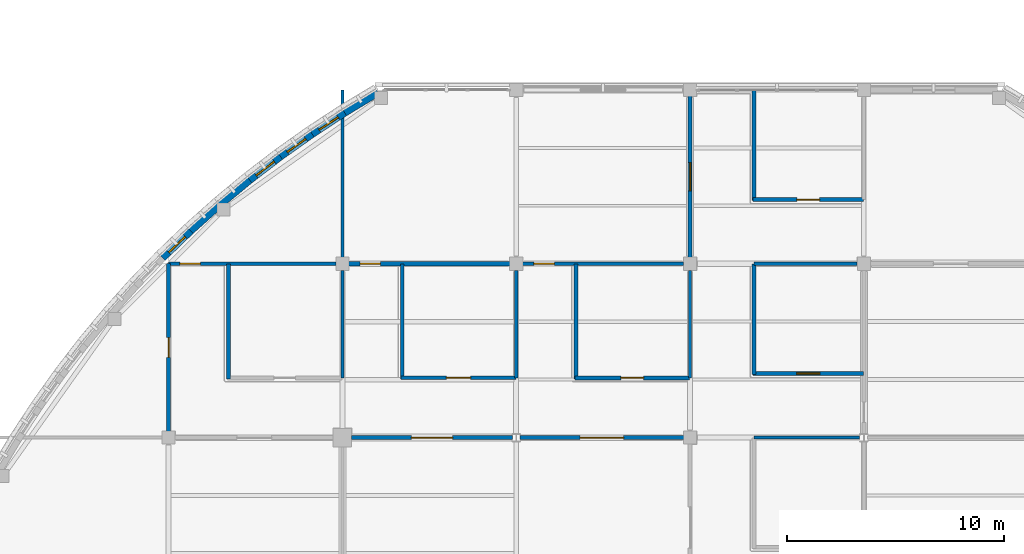
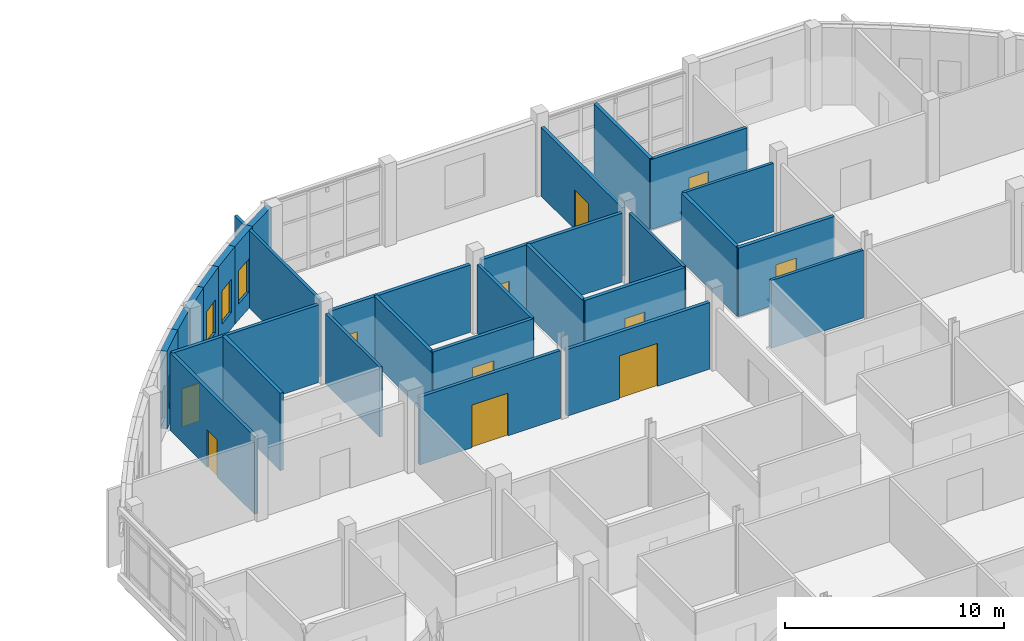
# One storey, part 89 of 121: 29 walls, 11 doors, 4 windows, 15 openings.
"""IFC4 building model written with IfcOpenShell, lengths in metres."""

from ifc_helpers import new_model, si_unit, derived_unit, direction, frame, frame_2d, origin, place, context, subcontext, project, spatial, rectangle, extrude, material, layer, layer_set, type_object, element, fill, save


model = new_model("IFC4")

# Units and contexts
model_context = context("Model", 3, precision=1e-05, world=origin(), true_north=direction((0.0, 1.0)))
body_context = subcontext(model_context, "Body", "Model", "MODEL_VIEW")
ifc_project = project(units=[si_unit("LENGTHUNIT", "METRE"), si_unit("AREAUNIT", "SQUARE_METRE"), si_unit("VOLUMEUNIT", "CUBIC_METRE"), si_unit("PLANEANGLEUNIT", "RADIAN"), si_unit("MASSUNIT", "GRAM", prefix="KILO"), derived_unit("THERMALTRANSMITTANCEUNIT", [(si_unit("MASSUNIT", "GRAM", prefix="KILO"), 1), (si_unit("TIMEUNIT", "SECOND"), -3), (si_unit("THERMODYNAMICTEMPERATUREUNIT", "KELVIN"), -1)])], contexts=[model_context])

# Site, building, storey
site_placement = place(None, origin())
site = spatial("IfcSite", under=ifc_project, at=site_placement, CompositionType="ELEMENT")
building_placement = place(site_placement, origin())
building = spatial("IfcBuilding", under=site, at=building_placement, Name="Veyamyaing Civic Hall", CompositionType="ELEMENT")
storey_placement = place(building_placement, frame((0.0, 0.0, 5.280029296875)))
storey = spatial("IfcBuildingStorey", under=building, at=storey_placement, Name="L01", CompositionType="ELEMENT", Elevation=5.280029296875)

# Wall
ifc_material_1 = material(Name="Precast concrete C40/50", Category="concrete")
ifc_layer_1 = layer(ifc_material_1, 0.304931640625, Name="Precast concrete C40/50")
ifc_layer_set_1 = layer_set([ifc_layer_1], Name="Precast concrete C40/50")
wall_type_1 = type_object("IfcWallType", Name="WT-03", PredefinedType="SOLIDWALL", material=ifc_layer_set_1)
wall_1_placement = place(storey_placement, frame((73.649169921875, 95.8671875, 0.0), z_axis=(0.0, 0.0, 1.0), x_axis=(-0.856543302071, -0.51607516088, 0.0)))
element("IfcWall", 1, at=wall_1_placement, inside=storey, type_object=wall_type_1, Name="Curved corner facade wall WT-03 L01 NW.1", PredefinedType="SOLIDWALL", context=body_context, shape_type="SweptSolid", body=[
    extrude(rectangle(XDim=1.794921875, YDim=0.304931640625, at=frame_2d((0.8974609375, 0.0))), origin(), (0.0, 0.0, 1.0), 4.3349609375),
])

# Wall, opening, window
wall_2_placement = place(storey_placement, frame((72.11669921875, 94.94384765625, 0.0), z_axis=(0.0, 0.0, 1.0), x_axis=(-0.836686786408, -0.547681678944, 0.0)))
wall_2 = element("IfcWall", 2, at=wall_2_placement, inside=storey, type_object=wall_type_1, Name="Curved corner facade wall WT-03 L01 NW.2", PredefinedType="SOLIDWALL", context=body_context, shape_type="SweptSolid", body=[
    extrude(rectangle(XDim=1.795166015625, YDim=0.304931640625, at=frame_2d((0.8974609375, 0.0))), origin(), (0.0, 0.0, 1.0), 4.3349609375),
])
opening_1_placement = place(wall_2_placement, frame((0.37255859375, 0.0, 0.89990234375)))
opening_1 = element("IfcOpeningElement", 3, at=opening_1_placement, cuts=wall_2, Name="Opening W-16", PredefinedType="OPENING", context=body_context, shape_type="SweptSolid", body=[
    extrude(rectangle(XDim=1.050048828125, YDim=1.85009765625, at=frame_2d((0.52490234375, 0.925048828125))), frame((0.0, 0.162353515625, 0.0), z_axis=(0.0, -1.0, 0.0), x_axis=(1.0, 0.0, 0.0)), (0.0, 0.0, 1.0), 0.324951171875),
])
ifc_material_2 = material(Name="Low-E insulated glass", Category="glass")
window_type = type_object("IfcWindowType", Name="W-16", PartitioningType="SINGLE_PANEL", PredefinedType="WINDOW", material=ifc_material_2)
window_1_placement = place(opening_1_placement, origin())
window_1 = element("IfcWindow", 4, at=window_1_placement, inside=storey, type_object=window_type, Name="Curved ribbon window W-16 L01 NW.2", OverallHeight=1.85009765625, OverallWidth=1.050048828125, PartitioningType="SINGLE_PANEL", PredefinedType="WINDOW", context=body_context, shape_type="SweptSolid", body=[
    extrude(rectangle(XDim=1.050048828125, YDim=1.85009765625, at=frame_2d((0.52490234375, 0.925048828125))), frame((0.0, 0.030029296875, 0.0), z_axis=(0.0, -1.0, 0.0), x_axis=(1.0, 0.0, 0.0)), (0.0, 0.0, 1.0), 0.06005859375),
])
fill(opening_1, window_1)

wall_3_placement = place(storey_placement, frame((70.61962890625, 93.9638671875, 0.0), z_axis=(0.0, 0.0, 1.0), x_axis=(-0.815567185578, -0.578662393636, 0.0)))
wall_3 = element("IfcWall", 5, at=wall_3_placement, inside=storey, type_object=wall_type_1, Name="Curved corner facade wall WT-03 L01 NW.3", PredefinedType="SOLIDWALL", context=body_context, shape_type="SweptSolid", body=[
    extrude(rectangle(XDim=1.795166015625, YDim=0.304931640625, at=frame_2d((0.8974609375, 0.0))), origin(), (0.0, 0.0, 1.0), 4.3349609375),
])
opening_2_placement = place(wall_3_placement, frame((0.37255859375, 0.0, 0.89990234375)))
opening_2 = element("IfcOpeningElement", 6, at=opening_2_placement, cuts=wall_3, Name="Opening W-16", PredefinedType="OPENING", context=body_context, shape_type="SweptSolid", body=[
    extrude(rectangle(XDim=1.050048828125, YDim=1.85009765625, at=frame_2d((0.52490234375, 0.925048828125))), frame((0.0, 0.162353515625, 0.0), z_axis=(0.0, -1.0, 0.0), x_axis=(1.0, 0.0, 0.0)), (0.0, 0.0, 1.0), 0.324951171875),
])
window_2_placement = place(opening_2_placement, origin())
window_2 = element("IfcWindow", 7, at=window_2_placement, inside=storey, type_object=window_type, Name="Curved ribbon window W-16 L01 NW.3", OverallHeight=1.85009765625, OverallWidth=1.050048828125, PartitioningType="SINGLE_PANEL", PredefinedType="WINDOW", context=body_context, shape_type="SweptSolid", body=[
    extrude(rectangle(XDim=1.050048828125, YDim=1.85009765625, at=frame_2d((0.52490234375, 0.925048828125))), frame((0.0, 0.030029296875, 0.0), z_axis=(0.0, -1.0, 0.0), x_axis=(1.0, 0.0, 0.0)), (0.0, 0.0, 1.0), 0.06005859375),
])
fill(opening_2, window_2)

wall_4_placement = place(storey_placement, frame((69.16015625, 92.928466796875, 0.0), z_axis=(0.0, 0.0, 1.0), x_axis=(-0.793341406114, -0.608776981616, 0.0)))
wall_4 = element("IfcWall", 8, at=wall_4_placement, inside=storey, type_object=wall_type_1, Name="Curved corner facade wall WT-03 L01 NW.4", PredefinedType="SOLIDWALL", context=body_context, shape_type="SweptSolid", body=[
    extrude(rectangle(XDim=1.794921875, YDim=0.304931640625, at=frame_2d((0.8974609375, 0.0))), origin(), (0.0, 0.0, 1.0), 4.3349609375),
])
opening_3_placement = place(wall_4_placement, frame((0.37255859375, 0.0, 0.89990234375)))
opening_3 = element("IfcOpeningElement", 9, at=opening_3_placement, cuts=wall_4, Name="Opening W-16", PredefinedType="OPENING", context=body_context, shape_type="SweptSolid", body=[
    extrude(rectangle(XDim=1.050048828125, YDim=1.85009765625, at=frame_2d((0.52490234375, 0.925048828125))), frame((0.0, 0.162353515625, 0.0), z_axis=(0.0, -1.0, 0.0), x_axis=(1.0, 0.0, 0.0)), (0.0, 0.0, 1.0), 0.324951171875),
])
window_3_placement = place(opening_3_placement, origin())
window_3 = element("IfcWindow", 10, at=window_3_placement, inside=storey, type_object=window_type, Name="Curved ribbon window W-16 L01 NW.4", OverallHeight=1.85009765625, OverallWidth=1.050048828125, PartitioningType="SINGLE_PANEL", PredefinedType="WINDOW", context=body_context, shape_type="SweptSolid", body=[
    extrude(rectangle(XDim=1.050048828125, YDim=1.85009765625, at=frame_2d((0.52490234375, 0.925048828125))), frame((0.0, 0.030029296875, 0.0), z_axis=(0.0, -1.0, 0.0), x_axis=(1.0, 0.0, 0.0)), (0.0, 0.0, 1.0), 0.06005859375),
])
fill(opening_3, window_3)

# Walls
wall_5_placement = place(storey_placement, frame((67.740478515625, 91.83935546875, 0.0), z_axis=(0.0, 0.0, 1.0), x_axis=(-0.769991012207, -0.638054732073, 0.0)))
element("IfcWall", 11, at=wall_5_placement, inside=storey, type_object=wall_type_1, Name="Curved corner facade wall WT-03 L01 NW.5", PredefinedType="SOLIDWALL", context=body_context, shape_type="SweptSolid", body=[
    extrude(rectangle(XDim=1.794921875, YDim=0.304931640625, at=frame_2d((0.8974609375, 0.0))), origin(), (0.0, 0.0, 1.0), 4.3349609375),
])
wall_6_placement = place(storey_placement, frame((66.36279296875, 90.69775390625, 0.0), z_axis=(0.0, 0.0, 1.0), x_axis=(-0.745703543965, -0.666277888361, 0.0)))
element("IfcWall", 12, at=wall_6_placement, inside=storey, type_object=wall_type_1, Name="Curved corner facade wall WT-03 L01 NW.6", PredefinedType="SOLIDWALL", context=body_context, shape_type="SweptSolid", body=[
    extrude(rectangle(XDim=1.795166015625, YDim=0.304931640625, at=frame_2d((0.8974609375, 0.0))), origin(), (0.0, 0.0, 1.0), 4.3349609375),
])

# Wall, opening, window
wall_7_placement = place(storey_placement, frame((65.028564453125, 89.505615234375, 0.0), z_axis=(0.0, 0.0, 1.0), x_axis=(-0.720242191926, -0.693722700342, 0.0)))
wall_7 = element("IfcWall", 13, at=wall_7_placement, inside=storey, type_object=wall_type_1, Name="Curved corner facade wall WT-03 L01 NW.7", PredefinedType="SOLIDWALL", context=body_context, shape_type="SweptSolid", body=[
    extrude(rectangle(XDim=1.795166015625, YDim=0.304931640625, at=frame_2d((0.8974609375, 0.0))), origin(), (0.0, 0.0, 1.0), 4.3349609375),
])
opening_4_placement = place(wall_7_placement, frame((0.37255859375, 0.0, 0.89990234375)))
opening_4 = element("IfcOpeningElement", 14, at=opening_4_placement, cuts=wall_7, Name="Opening W-16", PredefinedType="OPENING", context=body_context, shape_type="SweptSolid", body=[
    extrude(rectangle(XDim=1.050048828125, YDim=1.85009765625, at=frame_2d((0.52490234375, 0.925048828125))), frame((0.0, 0.162353515625, 0.0), z_axis=(0.0, -1.0, 0.0), x_axis=(1.0, 0.0, 0.0)), (0.0, 0.0, 1.0), 0.324951171875),
])
window_4_placement = place(opening_4_placement, origin())
window_4 = element("IfcWindow", 15, at=window_4_placement, inside=storey, type_object=window_type, Name="Curved ribbon window W-16 L01 NW.7", OverallHeight=1.85009765625, OverallWidth=1.050048828125, PartitioningType="SINGLE_PANEL", PredefinedType="WINDOW", context=body_context, shape_type="SweptSolid", body=[
    extrude(rectangle(XDim=1.050048828125, YDim=1.85009765625, at=frame_2d((0.52490234375, 0.925048828125))), frame((0.0, 0.030029296875, 0.0), z_axis=(0.0, -1.0, 0.0), x_axis=(1.0, 0.0, 0.0)), (0.0, 0.0, 1.0), 0.06005859375),
])
fill(opening_4, window_4)

# Wall, opening, door
ifc_material_3 = material(Name="Gypsum board on acoustic steel stud", Category="steel")
ifc_layer_2 = layer(ifc_material_3, 0.175048828125, Name="Gypsum board on acoustic steel stud")
ifc_layer_set_2 = layer_set([ifc_layer_2], Name="Gypsum board on acoustic steel stud")
wall_type_2 = type_object("IfcWallType", Name="WT-07", PredefinedType="PARTITIONING", material=ifc_layer_set_2)
wall_8_placement = place(storey_placement, frame((74.699951171875, 82.75, 0.0), z_axis=(0.0, 0.0, 1.0), x_axis=(1.0, 0.0, 0.0)))
wall_8 = element("IfcWall", 16, at=wall_8_placement, inside=storey, type_object=wall_type_2, Name="Corridor gallery partition WT-07 L01.45.1", PredefinedType="PARTITIONING", context=body_context, shape_type="SweptSolid", body=[
    extrude(rectangle(XDim=5.280029296875, YDim=0.175048828125, at=frame_2d((2.64013671875, 0.0))), origin(), (0.0, 0.0, 1.0), 3.83203125),
])
opening_5_placement = place(wall_8_placement, frame((2.080078125, 0.0, 0.0)))
opening_5 = element("IfcOpeningElement", 17, at=opening_5_placement, cuts=wall_8, Name="Opening D-26", PredefinedType="OPENING", context=body_context, shape_type="SweptSolid", body=[
    extrude(rectangle(XDim=1.1201171875, YDim=2.219970703125, at=frame_2d((0.56005859375, 1.10986328125))), frame((0.0, 0.097412109375, 0.0), z_axis=(0.0, -1.0, 0.0), x_axis=(1.0, 0.0, 0.0)), (0.0, 0.0, 1.0), 0.195068359375),
])
ifc_material_4 = material(Name="Teak-veneered acoustic timber", Category="wood")
door_type_1 = type_object("IfcDoorType", Name="D-26", OperationType="NOTDEFINED", PredefinedType="DOOR", material=ifc_material_4)
door_1_placement = place(opening_5_placement, origin())
door_1 = element("IfcDoor", 18, at=door_1_placement, inside=storey, type_object=door_type_1, Name="Gallery office door D-26 L01.45", OperationType="SINGLE_SWING_LEFT", OverallHeight=2.219970703125, OverallWidth=1.1201171875, PredefinedType="DOOR", context=body_context, shape_type="SweptSolid", body=[
    extrude(rectangle(XDim=1.1201171875, YDim=2.219970703125, at=frame_2d((0.56005859375, 1.10986328125))), frame((0.0, 0.02490234375, 0.0), z_axis=(0.0, -1.0, 0.0), x_axis=(1.0, 0.0, 0.0)), (0.0, 0.0, 1.0), 0.050048828125),
])
fill(opening_5, door_1)

# Wall
wall_9_placement = place(storey_placement, frame((74.75, 82.699951171875, 0.0), z_axis=(0.0, 0.0, 1.0), x_axis=(0.0, 1.0, 0.0)))
element("IfcWall", 19, at=wall_9_placement, inside=storey, type_object=wall_type_2, Name="Corridor gallery partition WT-07 L01.45.2", PredefinedType="PARTITIONING", context=body_context, shape_type="SweptSolid", body=[
    extrude(rectangle(XDim=5.280029296875, YDim=0.175048828125, at=frame_2d((2.64013671875, 0.0))), origin(), (0.0, 0.0, 1.0), 3.757080078125),
])

# Wall, opening, door
wall_10_placement = place(storey_placement, frame((90.89990234375, 90.949951171875, 0.0), z_axis=(0.0, 0.0, 1.0), x_axis=(1.0, 0.0, 0.0)))
wall_10 = element("IfcWall", 20, at=wall_10_placement, inside=storey, type_object=wall_type_2, Name="Corridor gallery partition WT-07 L01.53.1", PredefinedType="PARTITIONING", context=body_context, shape_type="SweptSolid", body=[
    extrude(rectangle(XDim=5.080078125, YDim=0.175048828125, at=frame_2d((2.5400390625, 0.0))), origin(), (0.0, 0.0, 1.0), 3.89599609375),
])
opening_6_placement = place(wall_10_placement, frame((2.02001953125, 0.0, 0.0)))
opening_6 = element("IfcOpeningElement", 21, at=opening_6_placement, cuts=wall_10, Name="Opening D-24", PredefinedType="OPENING", context=body_context, shape_type="SweptSolid", body=[
    extrude(rectangle(XDim=1.0400390625, YDim=2.179931640625, at=frame_2d((0.52001953125, 1.08984375))), frame((0.0, 0.097412109375, 0.0), z_axis=(0.0, -1.0, 0.0), x_axis=(1.0, 0.0, 0.0)), (0.0, 0.0, 1.0), 0.195068359375),
])
door_type_2 = type_object("IfcDoorType", Name="D-24", OperationType="NOTDEFINED", PredefinedType="DOOR", material=ifc_material_4)
door_2_placement = place(opening_6_placement, origin())
door_2 = element("IfcDoor", 22, at=door_2_placement, inside=storey, type_object=door_type_2, Name="Gallery office door D-24 L01.53", OperationType="SINGLE_SWING_LEFT", OverallHeight=2.179931640625, OverallWidth=1.0400390625, PredefinedType="DOOR", context=body_context, shape_type="SweptSolid", body=[
    extrude(rectangle(XDim=1.0400390625, YDim=2.179931640625, at=frame_2d((0.52001953125, 1.08984375))), frame((0.0, 0.02490234375, 0.0), z_axis=(0.0, -1.0, 0.0), x_axis=(1.0, 0.0, 0.0)), (0.0, 0.0, 1.0), 0.050048828125),
])
fill(opening_6, door_2)

# Wall
wall_11_placement = place(storey_placement, frame((90.949951171875, 90.89990234375, 0.0), z_axis=(0.0, 0.0, 1.0), x_axis=(0.0, 1.0, 0.0)))
element("IfcWall", 23, at=wall_11_placement, inside=storey, type_object=wall_type_2, Name="Corridor gallery partition WT-07 L01.53.2", PredefinedType="PARTITIONING", context=body_context, shape_type="SweptSolid", body=[
    extrude(rectangle(XDim=5.080078125, YDim=0.175048828125, at=frame_2d((2.5400390625, 0.0))), origin(), (0.0, 0.0, 1.0), 3.947998046875),
])

# Wall, opening, door
wall_12_placement = place(storey_placement, frame((64.0, 80.2900390625, 0.0), z_axis=(0.0, 0.0, 1.0), x_axis=(0.0, 1.0, 0.0)))
wall_12 = element("IfcWall", 24, at=wall_12_placement, inside=storey, type_object=wall_type_2, Name="Interior partition wall WT-07 L01.31", PredefinedType="PARTITIONING", context=body_context, shape_type="SweptSolid", body=[
    extrude(rectangle(XDim=7.7099609375, YDim=0.175048828125, at=frame_2d((3.85498046875, 0.0))), origin(), (0.0, 0.0, 1.0), 4.324951171875),
])
opening_7_placement = place(wall_12_placement, frame((3.39501953125, 0.0, 0.0)))
opening_7 = element("IfcOpeningElement", 25, at=opening_7_placement, cuts=wall_12, Name="Opening D-16", PredefinedType="OPENING", context=body_context, shape_type="SweptSolid", body=[
    extrude(rectangle(XDim=0.919921875, YDim=2.10009765625, at=frame_2d((0.4599609375, 1.050048828125))), frame((0.0, 0.097412109375, 0.0), z_axis=(0.0, -1.0, 0.0), x_axis=(1.0, 0.0, 0.0)), (0.0, 0.0, 1.0), 0.195068359375),
])
door_type_3 = type_object("IfcDoorType", Name="D-16", OperationType="NOTDEFINED", PredefinedType="DOOR", material=ifc_material_4)
door_3_placement = place(opening_7_placement, origin())
door_3 = element("IfcDoor", 26, at=door_3_placement, inside=storey, type_object=door_type_3, Name="Interior door D-16 L01.31", OperationType="SINGLE_SWING_LEFT", OverallHeight=2.10009765625, OverallWidth=0.919921875, PredefinedType="DOOR", context=body_context, shape_type="SweptSolid", body=[
    extrude(rectangle(XDim=0.919921875, YDim=2.10009765625, at=frame_2d((0.4599609375, 1.050048828125))), frame((0.0, 0.02490234375, 0.0), z_axis=(0.0, -1.0, 0.0), x_axis=(1.0, 0.0, 0.0)), (0.0, 0.0, 1.0), 0.050048828125),
])
fill(opening_7, door_3)

wall_13_placement = place(storey_placement, frame((64.0, 88.0, 0.0), z_axis=(0.0, 0.0, 1.0), x_axis=(1.0, 0.0, 0.0)))
wall_13 = element("IfcWall", 27, at=wall_13_placement, inside=storey, type_object=wall_type_2, Name="Interior partition wall WT-07 L01.41", PredefinedType="PARTITIONING", context=body_context, shape_type="SweptSolid", body=[
    extrude(rectangle(XDim=7.7099609375, YDim=0.175048828125, at=frame_2d((3.85498046875, 0.0))), origin(), (0.0, 0.0, 1.0), 4.324951171875),
])
opening_8_placement = place(wall_13_placement, frame((0.52001953125, 0.0, 0.0)))
opening_8 = element("IfcOpeningElement", 28, at=opening_8_placement, cuts=wall_13, Name="Opening D-30", PredefinedType="OPENING", context=body_context, shape_type="SweptSolid", body=[
    extrude(rectangle(XDim=0.93994140625, YDim=2.1201171875, at=frame_2d((0.469970703125, 1.06005859375))), frame((0.0, 0.097412109375, 0.0), z_axis=(0.0, -1.0, 0.0), x_axis=(1.0, 0.0, 0.0)), (0.0, 0.0, 1.0), 0.195068359375),
])
door_type_4 = type_object("IfcDoorType", Name="D-30", OperationType="NOTDEFINED", PredefinedType="DOOR", material=ifc_material_4)
door_4_placement = place(opening_8_placement, origin())
door_4 = element("IfcDoor", 29, at=door_4_placement, inside=storey, type_object=door_type_4, Name="Interior door D-30 L01.41", OperationType="SINGLE_SWING_LEFT", OverallHeight=2.1201171875, OverallWidth=0.93994140625, PredefinedType="DOOR", context=body_context, shape_type="SweptSolid", body=[
    extrude(rectangle(XDim=0.93994140625, YDim=2.1201171875, at=frame_2d((0.469970703125, 1.06005859375))), frame((0.0, 0.02490234375, 0.0), z_axis=(0.0, -1.0, 0.0), x_axis=(1.0, 0.0, 0.0)), (0.0, 0.0, 1.0), 0.050048828125),
])
fill(opening_8, door_4)

wall_14_placement = place(storey_placement, frame((72.4150390625, 80.0, 0.0), z_axis=(0.0, 0.0, 1.0), x_axis=(1.0, 0.0, 0.0)))
wall_14 = element("IfcWall", 30, at=wall_14_placement, inside=storey, type_object=wall_type_2, Name="Interior partition wall WT-07 L01.49", PredefinedType="PARTITIONING", context=body_context, shape_type="SweptSolid", body=[
    extrude(rectangle(XDim=7.407958984375, YDim=0.175048828125, at=frame_2d((3.7041015625, 0.0))), origin(), (0.0, 0.0, 1.0), 3.781005859375),
])
opening_9_placement = place(wall_14_placement, frame((2.75390625, 0.0, 0.0)))
opening_9 = element("IfcOpeningElement", 31, at=opening_9_placement, cuts=wall_14, Name="Opening D-31", PredefinedType="OPENING", context=body_context, shape_type="SweptSolid", body=[
    extrude(rectangle(XDim=1.89990234375, YDim=2.3798828125, at=frame_2d((0.949951171875, 1.18994140625))), frame((0.0, 0.097412109375, 0.0), z_axis=(0.0, -1.0, 0.0), x_axis=(1.0, 0.0, 0.0)), (0.0, 0.0, 1.0), 0.195068359375),
])
door_type_5 = type_object("IfcDoorType", Name="D-31", OperationType="DOUBLE_DOOR_SINGLE_SWING", PredefinedType="DOOR", material=ifc_material_4)
door_5_placement = place(opening_9_placement, frame((1.89990234375, 0.0, 0.0), z_axis=(0.0, 0.0, 1.0), x_axis=(-1.0, 0.0, 0.0)))
door_5 = element("IfcDoor", 32, at=door_5_placement, inside=storey, type_object=door_type_5, Name="Interior door D-31 L01.49", OperationType="DOUBLE_DOOR_SINGLE_SWING", OverallHeight=2.3798828125, OverallWidth=1.89990234375, PredefinedType="DOOR", context=body_context, shape_type="SweptSolid", body=[
    extrude(rectangle(XDim=1.89990234375, YDim=2.3798828125, at=frame_2d((0.949951171875, 1.18994140625))), frame((0.0, 0.02490234375, 0.0), z_axis=(0.0, -1.0, 0.0), x_axis=(1.0, 0.0, 0.0)), (0.0, 0.0, 1.0), 0.050048828125),
])
fill(opening_9, door_5)

wall_15_placement = place(storey_placement, frame((80.2900390625, 88.0, 0.0), z_axis=(0.0, 0.0, 1.0), x_axis=(1.0, 0.0, 0.0)))
wall_15 = element("IfcWall", 33, at=wall_15_placement, inside=storey, type_object=wall_type_2, Name="Interior partition wall WT-07 L01.59", PredefinedType="PARTITIONING", context=body_context, shape_type="SweptSolid", body=[
    extrude(rectangle(XDim=7.419921875, YDim=0.175048828125, at=frame_2d((3.7099609375, 0.0))), origin(), (0.0, 0.0, 1.0), 3.83203125),
])
opening_10_placement = place(wall_15_placement, frame((0.52001953125, 0.0, 0.0)))
opening_10 = element("IfcOpeningElement", 34, at=opening_10_placement, cuts=wall_15, Name="Opening D-30", PredefinedType="OPENING", context=body_context, shape_type="SweptSolid", body=[
    extrude(rectangle(XDim=0.93994140625, YDim=2.1201171875, at=frame_2d((0.469970703125, 1.06005859375))), frame((0.0, 0.097412109375, 0.0), z_axis=(0.0, -1.0, 0.0), x_axis=(1.0, 0.0, 0.0)), (0.0, 0.0, 1.0), 0.195068359375),
])
door_6_placement = place(opening_10_placement, origin())
door_6 = element("IfcDoor", 35, at=door_6_placement, inside=storey, type_object=door_type_4, Name="Interior door D-30 L01.59", OperationType="SINGLE_SWING_LEFT", OverallHeight=2.1201171875, OverallWidth=0.93994140625, PredefinedType="DOOR", context=body_context, shape_type="SweptSolid", body=[
    extrude(rectangle(XDim=0.93994140625, YDim=2.1201171875, at=frame_2d((0.469970703125, 1.06005859375))), frame((0.0, 0.02490234375, 0.0), z_axis=(0.0, -1.0, 0.0), x_axis=(1.0, 0.0, 0.0)), (0.0, 0.0, 1.0), 0.050048828125),
])
fill(opening_10, door_6)

# Walls
ifc_material_5 = material(Name="Gypsum board on steel stud", Category="steel")
ifc_layer_3 = layer(ifc_material_5, 0.14990234375, Name="Gypsum board on steel stud")
ifc_layer_set_3 = layer_set([ifc_layer_3], Name="Gypsum board on steel stud")
wall_type_3 = type_object("IfcWallType", Name="WT-08", PredefinedType="PARTITIONING", material=ifc_layer_set_3)
wall_16_placement = place(storey_placement, frame((72.0, 82.75, 0.0), z_axis=(0.0, 0.0, 1.0), x_axis=(0.0, 1.0, 0.0)))
element("IfcWall", 36, at=wall_16_placement, inside=storey, type_object=wall_type_3, Name="Gallery office end partition WT-08 L01.40.2", PredefinedType="PARTITIONING", context=body_context, shape_type="SweptSolid", body=[
    extrude(rectangle(XDim=4.93994140625, YDim=0.14990234375, at=frame_2d((2.469970703125, 0.0))), origin(), (0.0, 0.0, 1.0), 3.89599609375),
])
wall_17_placement = place(storey_placement, frame((80.0, 82.75, 0.0), z_axis=(0.0, 0.0, 1.0), x_axis=(0.0, 1.0, 0.0)))
element("IfcWall", 37, at=wall_17_placement, inside=storey, type_object=wall_type_3, Name="Gallery office end partition WT-08 L01.45.2", PredefinedType="PARTITIONING", context=body_context, shape_type="SweptSolid", body=[
    extrude(rectangle(XDim=4.93994140625, YDim=0.14990234375, at=frame_2d((2.469970703125, 0.0))), origin(), (0.0, 0.0, 1.0), 3.83203125),
])
wall_18_placement = place(storey_placement, frame((88.0, 82.75, 0.0), z_axis=(0.0, 0.0, 1.0), x_axis=(0.0, 1.0, 0.0)))
element("IfcWall", 38, at=wall_18_placement, inside=storey, type_object=wall_type_3, Name="Gallery office end partition WT-08 L01.48.2", PredefinedType="PARTITIONING", context=body_context, shape_type="SweptSolid", body=[
    extrude(rectangle(XDim=4.93994140625, YDim=0.14990234375, at=frame_2d((2.469970703125, 0.0))), origin(), (0.0, 0.0, 1.0), 3.90185546875),
])
wall_19_placement = place(storey_placement, frame((90.949951171875, 80.0, 0.0), z_axis=(0.0, 0.0, 1.0), x_axis=(1.0, 0.0, 0.0)))
element("IfcWall", 39, at=wall_19_placement, inside=storey, type_object=wall_type_3, Name="Gallery office end partition WT-08 L01.51.1", PredefinedType="PARTITIONING", context=body_context, shape_type="SweptSolid", body=[
    extrude(rectangle(XDim=4.85302734375, YDim=0.14990234375, at=frame_2d((2.426513671875, 0.0))), origin(), (0.0, 0.0, 1.0), 3.786865234375),
])
wall_20_placement = place(storey_placement, frame((90.949951171875, 88.0, 0.0), z_axis=(0.0, 0.0, 1.0), x_axis=(1.0, 0.0, 0.0)))
element("IfcWall", 40, at=wall_20_placement, inside=storey, type_object=wall_type_3, Name="Gallery office end partition WT-08 L01.52.1", PredefinedType="PARTITIONING", context=body_context, shape_type="SweptSolid", body=[
    extrude(rectangle(XDim=4.739990234375, YDim=0.14990234375, at=frame_2d((2.3701171875, 0.0))), origin(), (0.0, 0.0, 1.0), 3.81591796875),
])
wall_21_placement = place(storey_placement, frame((72.0, 88.2900390625, 0.0), z_axis=(0.0, 0.0, 1.0), x_axis=(0.0, 1.0, 0.0)))
element("IfcWall", 41, at=wall_21_placement, inside=storey, type_object=wall_type_3, Name="Interior partition wall WT-08 L01.42", PredefinedType="PARTITIONING", context=body_context, shape_type="SweptSolid", body=[
    extrude(rectangle(XDim=7.7099609375, YDim=0.14990234375, at=frame_2d((3.85498046875, 0.0))), origin(), (0.0, 0.0, 1.0), 4.324951171875),
])
ifc_material_6 = material(Name="Gypsum board on double acoustic stud")
ifc_layer_4 = layer(ifc_material_6, 0.18505859375, Name="Gypsum board on double acoustic stud")
ifc_layer_set_4 = layer_set([ifc_layer_4], Name="Gypsum board on double acoustic stud")
wall_type_4 = type_object("IfcWallType", Name="WT-19", PredefinedType="PARTITIONING", material=ifc_layer_set_4)
wall_22_placement = place(storey_placement, frame((66.75, 82.699951171875, 0.0), z_axis=(0.0, 0.0, 1.0), x_axis=(0.0, 1.0, 0.0)))
element("IfcWall", 42, at=wall_22_placement, inside=storey, type_object=wall_type_4, Name="Corridor gallery partition WT-19 L01.40.2", PredefinedType="PARTITIONING", context=body_context, shape_type="SweptSolid", body=[
    extrude(rectangle(XDim=5.280029296875, YDim=0.18505859375, at=frame_2d((2.64013671875, 0.0))), origin(), (0.0, 0.0, 1.0), 4.324951171875),
])

# Wall, opening, door
wall_23_placement = place(storey_placement, frame((82.699951171875, 82.75, 0.0), z_axis=(0.0, 0.0, 1.0), x_axis=(1.0, 0.0, 0.0)))
wall_23 = element("IfcWall", 43, at=wall_23_placement, inside=storey, type_object=wall_type_4, Name="Corridor gallery partition WT-19 L01.48.1", PredefinedType="PARTITIONING", context=body_context, shape_type="SweptSolid", body=[
    extrude(rectangle(XDim=5.280029296875, YDim=0.18505859375, at=frame_2d((2.64013671875, 0.0))), origin(), (0.0, 0.0, 1.0), 3.90185546875),
])
opening_11_placement = place(wall_23_placement, frame((2.114990234375, 0.0, 0.0)))
opening_11 = element("IfcOpeningElement", 44, at=opening_11_placement, cuts=wall_23, Name="Opening D-12", PredefinedType="OPENING", context=body_context, shape_type="SweptSolid", body=[
    extrude(rectangle(XDim=1.050048828125, YDim=2.14990234375, at=frame_2d((0.52490234375, 1.074951171875))), frame((0.0, 0.1025390625, 0.0), z_axis=(0.0, -1.0, 0.0), x_axis=(1.0, 0.0, 0.0)), (0.0, 0.0, 1.0), 0.205078125),
])
door_type_6 = type_object("IfcDoorType", Name="D-12", OperationType="NOTDEFINED", PredefinedType="DOOR", material=ifc_material_4)
door_7_placement = place(opening_11_placement, origin())
door_7 = element("IfcDoor", 45, at=door_7_placement, inside=storey, type_object=door_type_6, Name="Gallery office door D-12 L01.48", OperationType="SINGLE_SWING_RIGHT", OverallHeight=2.14990234375, OverallWidth=1.050048828125, PredefinedType="DOOR", context=body_context, shape_type="SweptSolid", body=[
    extrude(rectangle(XDim=1.050048828125, YDim=2.14990234375, at=frame_2d((0.52490234375, 1.074951171875))), frame((0.0, 0.02490234375, 0.0), z_axis=(0.0, -1.0, 0.0), x_axis=(1.0, 0.0, 0.0)), (0.0, 0.0, 1.0), 0.050048828125),
])
fill(opening_11, door_7)

# Wall
wall_24_placement = place(storey_placement, frame((82.75, 82.699951171875, 0.0), z_axis=(0.0, 0.0, 1.0), x_axis=(0.0, 1.0, 0.0)))
element("IfcWall", 46, at=wall_24_placement, inside=storey, type_object=wall_type_4, Name="Corridor gallery partition WT-19 L01.48.2", PredefinedType="PARTITIONING", context=body_context, shape_type="SweptSolid", body=[
    extrude(rectangle(XDim=5.280029296875, YDim=0.18505859375, at=frame_2d((2.64013671875, 0.0))), origin(), (0.0, 0.0, 1.0), 3.83203125),
])

# Wall, opening, door
wall_25_placement = place(storey_placement, frame((90.89990234375, 82.949951171875, 0.0), z_axis=(0.0, 0.0, 1.0), x_axis=(1.0, 0.0, 0.0)))
wall_25 = element("IfcWall", 47, at=wall_25_placement, inside=storey, type_object=wall_type_4, Name="Corridor gallery partition WT-19 L01.52.1", PredefinedType="PARTITIONING", context=body_context, shape_type="SweptSolid", body=[
    extrude(rectangle(XDim=5.080078125, YDim=0.18505859375, at=frame_2d((2.5400390625, 0.0))), origin(), (0.0, 0.0, 1.0), 3.825927734375),
])
opening_12_placement = place(wall_25_placement, frame((2.0, 0.0, 0.0)))
opening_12 = element("IfcOpeningElement", 48, at=opening_12_placement, cuts=wall_25, Name="Opening D-23", PredefinedType="OPENING", context=body_context, shape_type="SweptSolid", body=[
    extrude(rectangle(XDim=1.080078125, YDim=2.199951171875, at=frame_2d((0.5400390625, 1.10009765625))), frame((0.0, 0.1025390625, 0.0), z_axis=(0.0, -1.0, 0.0), x_axis=(1.0, 0.0, 0.0)), (0.0, 0.0, 1.0), 0.205078125),
])
door_type_7 = type_object("IfcDoorType", Name="D-23", OperationType="NOTDEFINED", PredefinedType="DOOR", material=ifc_material_4)
door_8_placement = place(opening_12_placement, origin())
door_8 = element("IfcDoor", 49, at=door_8_placement, inside=storey, type_object=door_type_7, Name="Gallery office door D-23 L01.52", OperationType="SINGLE_SWING_RIGHT", OverallHeight=2.199951171875, OverallWidth=1.080078125, PredefinedType="DOOR", context=body_context, shape_type="SweptSolid", body=[
    extrude(rectangle(XDim=1.080078125, YDim=2.199951171875, at=frame_2d((0.5400390625, 1.10009765625))), frame((0.0, 0.02490234375, 0.0), z_axis=(0.0, -1.0, 0.0), x_axis=(1.0, 0.0, 0.0)), (0.0, 0.0, 1.0), 0.050048828125),
])
fill(opening_12, door_8)

# Wall
wall_26_placement = place(storey_placement, frame((90.949951171875, 82.89990234375, 0.0), z_axis=(0.0, 0.0, 1.0), x_axis=(0.0, 1.0, 0.0)))
element("IfcWall", 50, at=wall_26_placement, inside=storey, type_object=wall_type_4, Name="Corridor gallery partition WT-19 L01.52.2", PredefinedType="PARTITIONING", context=body_context, shape_type="SweptSolid", body=[
    extrude(rectangle(XDim=5.080078125, YDim=0.18505859375, at=frame_2d((2.5400390625, 0.0))), origin(), (0.0, 0.0, 1.0), 3.81591796875),
])

# Wall, opening, door
wall_27_placement = place(storey_placement, frame((72.2900390625, 88.0, 0.0), z_axis=(0.0, 0.0, 1.0), x_axis=(1.0, 0.0, 0.0)))
wall_27 = element("IfcWall", 51, at=wall_27_placement, inside=storey, type_object=wall_type_4, Name="Interior partition wall WT-19 L01.50", PredefinedType="PARTITIONING", context=body_context, shape_type="SweptSolid", body=[
    extrude(rectangle(XDim=7.419921875, YDim=0.18505859375, at=frame_2d((3.7099609375, 0.0))), origin(), (0.0, 0.0, 1.0), 3.757080078125),
])
opening_13_placement = place(wall_27_placement, frame((0.52001953125, 0.0, 0.0)))
opening_13 = element("IfcOpeningElement", 52, at=opening_13_placement, cuts=wall_27, Name="Opening D-30", PredefinedType="OPENING", context=body_context, shape_type="SweptSolid", body=[
    extrude(rectangle(XDim=0.93994140625, YDim=2.1201171875, at=frame_2d((0.469970703125, 1.06005859375))), frame((0.0, 0.1025390625, 0.0), z_axis=(0.0, -1.0, 0.0), x_axis=(1.0, 0.0, 0.0)), (0.0, 0.0, 1.0), 0.205078125),
])
door_9_placement = place(opening_13_placement, origin())
door_9 = element("IfcDoor", 53, at=door_9_placement, inside=storey, type_object=door_type_4, Name="Interior door D-30 L01.50", OperationType="SINGLE_SWING_LEFT", OverallHeight=2.1201171875, OverallWidth=0.93994140625, PredefinedType="DOOR", context=body_context, shape_type="SweptSolid", body=[
    extrude(rectangle(XDim=0.93994140625, YDim=2.1201171875, at=frame_2d((0.469970703125, 1.06005859375))), frame((0.0, 0.02490234375, 0.0), z_axis=(0.0, -1.0, 0.0), x_axis=(1.0, 0.0, 0.0)), (0.0, 0.0, 1.0), 0.050048828125),
])
fill(opening_13, door_9)

wall_28_placement = place(storey_placement, frame((80.177001953125, 80.0, 0.0), z_axis=(0.0, 0.0, 1.0), x_axis=(1.0, 0.0, 0.0)))
wall_28 = element("IfcWall", 54, at=wall_28_placement, inside=storey, type_object=wall_type_4, Name="Interior partition wall WT-19 L01.58", PredefinedType="PARTITIONING", context=body_context, shape_type="SweptSolid", body=[
    extrude(rectangle(XDim=7.532958984375, YDim=0.18505859375, at=frame_2d((3.7666015625, 0.0))), origin(), (0.0, 0.0, 1.0), 3.7119140625),
])
opening_14_placement = place(wall_28_placement, frame((2.7666015625, 0.0, 0.0)))
opening_14 = element("IfcOpeningElement", 55, at=opening_14_placement, cuts=wall_28, Name="Opening D-07", PredefinedType="OPENING", context=body_context, shape_type="SweptSolid", body=[
    extrude(rectangle(XDim=2.0, YDim=2.39990234375, at=frame_2d((1.0, 1.199951171875))), frame((0.0, 0.1025390625, 0.0), z_axis=(0.0, -1.0, 0.0), x_axis=(1.0, 0.0, 0.0)), (0.0, 0.0, 1.0), 0.205078125),
])
door_type_8 = type_object("IfcDoorType", Name="D-07", OperationType="DOUBLE_DOOR_SINGLE_SWING", PredefinedType="DOOR", material=ifc_material_4)
door_10_placement = place(opening_14_placement, frame((2.0, 0.0, 0.0), z_axis=(0.0, 0.0, 1.0), x_axis=(-1.0, 0.0, 0.0)))
door_10 = element("IfcDoor", 56, at=door_10_placement, inside=storey, type_object=door_type_8, Name="Interior door D-07 L01.58", OperationType="DOUBLE_DOOR_SINGLE_SWING", OverallHeight=2.39990234375, OverallWidth=2.0, PredefinedType="DOOR", context=body_context, shape_type="SweptSolid", body=[
    extrude(rectangle(XDim=2.0, YDim=2.39990234375, at=frame_2d((1.0, 1.199951171875))), frame((0.0, 0.02490234375, 0.0), z_axis=(0.0, -1.0, 0.0), x_axis=(1.0, 0.0, 0.0)), (0.0, 0.0, 1.0), 0.050048828125),
])
fill(opening_14, door_10)

wall_29_placement = place(storey_placement, frame((88.0, 88.2900390625, 0.0), z_axis=(0.0, 0.0, 1.0), x_axis=(0.0, 1.0, 0.0)))
wall_29 = element("IfcWall", 57, at=wall_29_placement, inside=storey, type_object=wall_type_4, Name="Interior partition wall WT-19 L01.60", PredefinedType="PARTITIONING", context=body_context, shape_type="SweptSolid", body=[
    extrude(rectangle(XDim=7.419921875, YDim=0.18505859375, at=frame_2d((3.7099609375, 0.0))), origin(), (0.0, 0.0, 1.0), 3.825927734375),
])
opening_15_placement = place(wall_29_placement, frame((3.06005859375, 0.0, 0.0)))
opening_15 = element("IfcOpeningElement", 58, at=opening_15_placement, cuts=wall_29, Name="Opening D-18", PredefinedType="OPENING", context=body_context, shape_type="SweptSolid", body=[
    extrude(rectangle(XDim=1.300048828125, YDim=2.199951171875, at=frame_2d((0.64990234375, 1.10009765625))), frame((0.0, 0.1025390625, 0.0), z_axis=(0.0, -1.0, 0.0), x_axis=(1.0, 0.0, 0.0)), (0.0, 0.0, 1.0), 0.205078125),
])
ifc_material_7 = material(Name="Anodised aluminium 6063-T6", Category="aluminium")
door_type_9 = type_object("IfcDoorType", Name="D-18", OperationType="DOUBLE_DOOR_SINGLE_SWING", PredefinedType="DOOR", material=ifc_material_7)
door_11_placement = place(opening_15_placement, origin())
door_11 = element("IfcDoor", 59, at=door_11_placement, inside=storey, type_object=door_type_9, Name="Interior door D-18 L01.60", OperationType="DOUBLE_DOOR_SINGLE_SWING", OverallHeight=2.199951171875, OverallWidth=1.300048828125, PredefinedType="DOOR", context=body_context, shape_type="SweptSolid", body=[
    extrude(rectangle(XDim=1.300048828125, YDim=2.199951171875, at=frame_2d((0.64990234375, 1.10009765625))), frame((0.0, 0.02490234375, 0.0), z_axis=(0.0, -1.0, 0.0), x_axis=(1.0, 0.0, 0.0)), (0.0, 0.0, 1.0), 0.050048828125),
])
fill(opening_15, door_11)

save(model, "model.ifc")
